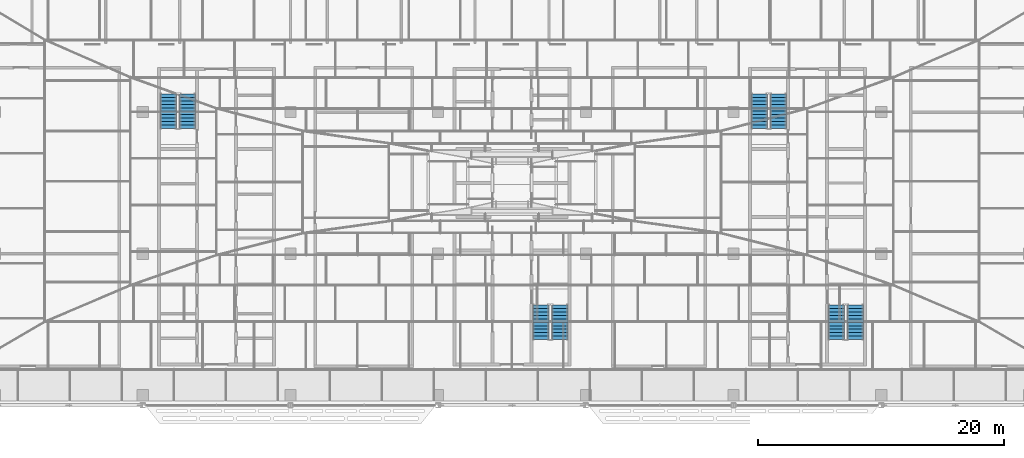
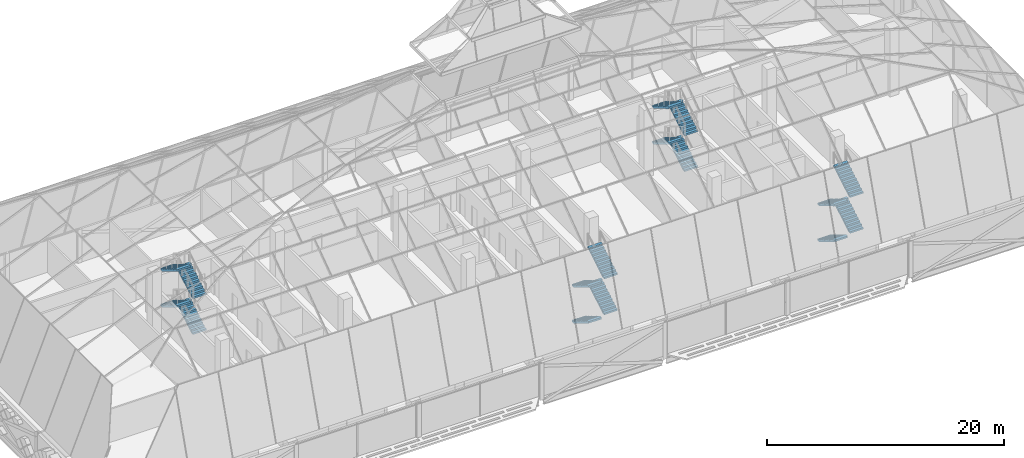
# One storey, part 29 of 39: 16 stair flights, 4 elements without a shape of their own.
"""IFC4 building model written with IfcOpenShell, lengths in metres."""

from ifc_helpers import new_model, si_unit, direction, frame, origin, place, context, subcontext, project, spatial, polyline, outline, extrude, material, type_object, element, aggregate, save


model = new_model("IFC4")

# Units and contexts
model_context = context("Model", 3, precision=1e-05, world=origin(), true_north=direction((0.0, 1.0)))
body_context = subcontext(model_context, "Body", "Model", "MODEL_VIEW")
ifc_project = project(units=[si_unit("LENGTHUNIT", "METRE"), si_unit("AREAUNIT", "SQUARE_METRE"), si_unit("VOLUMEUNIT", "CUBIC_METRE"), si_unit("PLANEANGLEUNIT", "RADIAN"), si_unit("MASSUNIT", "GRAM", prefix="KILO")], contexts=[model_context])

# Site, building, storey
site_placement = place(None, origin())
site = spatial("IfcSite", under=ifc_project, at=site_placement, CompositionType="ELEMENT")
building_placement = place(site_placement, origin())
building = spatial("IfcBuilding", under=site, at=building_placement, Name="Mahtab Terrace Research Tower", CompositionType="ELEMENT")
storey_placement = place(building_placement, frame((0.0, 0.0, 282.300048828125)))
storey = spatial("IfcBuildingStorey", under=building, at=storey_placement, Name="L69", CompositionType="ELEMENT", Elevation=282.300048828125)

# Stair, stair flights
ifc_material_1 = material(Name="Exit stair half-turn")
stair_type = type_object("IfcStairType", Name="Exit stair half-turn", PredefinedType="HALF_TURN_STAIR", material=ifc_material_1)
stair_1_placement = place(storey_placement, origin())
stair_1 = element("IfcStair", 1, at=stair_1_placement, inside=storey, type_object=stair_type, Name="L69 Protected exit stair ST1", PredefinedType="HALF_TURN_STAIR")
ifc_material_2 = material(Name="Concrete C40/50", Category="concrete")
stair_flight_type = type_object("IfcStairFlightType", Name="Exit stair flight 1300", PredefinedType="STRAIGHT", material=ifc_material_2)
stair_flight_1_placement = place(storey_placement, frame((-26.35009765625, 10.175048828125, 0.0), z_axis=(0.0, 0.0, 1.0), x_axis=(0.0, 1.0, 0.0)))
stair_flight_1 = element("IfcStairFlight", 2, at=stair_flight_1_placement, type_object=stair_flight_type, Name="ST1 flight 1", NumberOfRisers=11, NumberOfTreads=10, PredefinedType="STRAIGHT", RiserHeight=0.168181818, TreadLength=0.28, context=body_context, shape_type="SweptSolid", body=[
    extrude(outline(polyline([(0.0, 0.0), (0.0, 0.168212890625), (0.280029296875, 0.168212890625), (0.280029296875, 0.33642578125), (0.56005859375, 0.33642578125), (0.56005859375, 0.504638671875), (0.840087890625, 0.504638671875), (0.840087890625, 0.672607421875), (1.1201171875, 0.672607421875), (1.1201171875, 0.8408203125), (1.39990234375, 0.8408203125), (1.39990234375, 1.009033203125), (1.679931640625, 1.009033203125), (1.679931640625, 1.17724609375), (1.9599609375, 1.17724609375), (1.9599609375, 1.345458984375), (2.239990234375, 1.345458984375), (2.239990234375, 1.513671875), (2.52001953125, 1.513671875), (2.52001953125, 1.681884765625), (2.800048828125, 1.681884765625), (2.800048828125, 1.85009765625), (2.800048828125, 1.5068359375), (0.291015625, 0.0), (0.0, 0.0)])), frame((0.0, 0.64990234375, 0.0), z_axis=(0.0, -1.0, 0.0), x_axis=(1.0, 0.0, 0.0)), (0.0, 0.0, 1.0), 1.300048828125),
])
stair_flight_2_placement = place(storey_placement, frame((-27.89990234375, 12.97509765625, 1.849853515625), z_axis=(0.0, 0.0, 1.0), x_axis=(0.0, -1.0, 0.0)))
stair_flight_2 = element("IfcStairFlight", 3, at=stair_flight_2_placement, type_object=stair_flight_type, Name="ST1 flight 2", NumberOfRisers=11, NumberOfTreads=10, PredefinedType="STRAIGHT", RiserHeight=0.168181818, TreadLength=0.28, context=body_context, shape_type="SweptSolid", body=[
    extrude(outline(polyline([(0.0, 0.0), (0.0, 0.168212890625), (0.280029296875, 0.168212890625), (0.280029296875, 0.33642578125), (0.56005859375, 0.33642578125), (0.56005859375, 0.504638671875), (0.840087890625, 0.504638671875), (0.840087890625, 0.672607421875), (1.1201171875, 0.672607421875), (1.1201171875, 0.8408203125), (1.39990234375, 0.8408203125), (1.39990234375, 1.009033203125), (1.679931640625, 1.009033203125), (1.679931640625, 1.17724609375), (1.9599609375, 1.17724609375), (1.9599609375, 1.345458984375), (2.239990234375, 1.345458984375), (2.239990234375, 1.513671875), (2.52001953125, 1.513671875), (2.52001953125, 1.681884765625), (2.800048828125, 1.681884765625), (2.800048828125, 1.85009765625), (2.800048828125, 1.5068359375), (0.291015625, 0.0), (0.0, 0.0)])), frame((0.0, 0.64990234375, 0.0), z_axis=(0.0, -1.0, 0.0), x_axis=(1.0, 0.0, 0.0)), (0.0, 0.0, 1.0), 1.300048828125),
])
stair_flight_3_placement = place(storey_placement, frame((-26.35009765625, 10.175048828125, 3.699951171875), z_axis=(0.0, 0.0, 1.0), x_axis=(0.0, 1.0, 0.0)))
stair_flight_3 = element("IfcStairFlight", 4, at=stair_flight_3_placement, type_object=stair_flight_type, Name="ST1 flight 3", NumberOfRisers=11, NumberOfTreads=10, PredefinedType="STRAIGHT", RiserHeight=0.168181818, TreadLength=0.28, context=body_context, shape_type="SweptSolid", body=[
    extrude(outline(polyline([(0.0, 0.0), (0.0, 0.168212890625), (0.280029296875, 0.168212890625), (0.280029296875, 0.33642578125), (0.56005859375, 0.33642578125), (0.56005859375, 0.504638671875), (0.840087890625, 0.504638671875), (0.840087890625, 0.672607421875), (1.1201171875, 0.672607421875), (1.1201171875, 0.8408203125), (1.39990234375, 0.8408203125), (1.39990234375, 1.009033203125), (1.679931640625, 1.009033203125), (1.679931640625, 1.17724609375), (1.9599609375, 1.17724609375), (1.9599609375, 1.345458984375), (2.239990234375, 1.345458984375), (2.239990234375, 1.513671875), (2.52001953125, 1.513671875), (2.52001953125, 1.681884765625), (2.800048828125, 1.681884765625), (2.800048828125, 1.85009765625), (2.800048828125, 1.5068359375), (0.291015625, 0.0), (0.0, 0.0)])), frame((0.0, 0.64990234375, 0.0), z_axis=(0.0, -1.0, 0.0), x_axis=(1.0, 0.0, 0.0)), (0.0, 0.0, 1.0), 1.300048828125),
])
stair_flight_4_placement = place(storey_placement, frame((-27.89990234375, 12.97509765625, 5.550048828125), z_axis=(0.0, 0.0, 1.0), x_axis=(0.0, -1.0, 0.0)))
stair_flight_4 = element("IfcStairFlight", 5, at=stair_flight_4_placement, type_object=stair_flight_type, Name="ST1 flight 4", NumberOfRisers=11, NumberOfTreads=10, PredefinedType="STRAIGHT", RiserHeight=0.168181818, TreadLength=0.28, context=body_context, shape_type="SweptSolid", body=[
    extrude(outline(polyline([(0.0, 0.0), (0.0, 0.168212890625), (0.280029296875, 0.168212890625), (0.280029296875, 0.33642578125), (0.56005859375, 0.33642578125), (0.56005859375, 0.504638671875), (0.840087890625, 0.504638671875), (0.840087890625, 0.672607421875), (1.1201171875, 0.672607421875), (1.1201171875, 0.8408203125), (1.39990234375, 0.8408203125), (1.39990234375, 1.009033203125), (1.679931640625, 1.009033203125), (1.679931640625, 1.17724609375), (1.9599609375, 1.17724609375), (1.9599609375, 1.345458984375), (2.239990234375, 1.345458984375), (2.239990234375, 1.513671875), (2.52001953125, 1.513671875), (2.52001953125, 1.681884765625), (2.800048828125, 1.681884765625), (2.800048828125, 1.85009765625), (2.800048828125, 1.5068359375), (0.291015625, 0.0), (0.0, 0.0)])), frame((0.0, 0.64990234375, 0.0), z_axis=(0.0, -1.0, 0.0), x_axis=(1.0, 0.0, 0.0)), (0.0, 0.0, 1.0), 1.300048828125),
])
aggregate(stair_1, [stair_flight_1, stair_flight_2, stair_flight_3, stair_flight_4])

stair_2_placement = place(storey_placement, origin())
stair_2 = element("IfcStair", 6, at=stair_2_placement, inside=storey, type_object=stair_type, Name="L69 Protected exit stair ST2", PredefinedType="HALF_TURN_STAIR")
stair_flight_5_placement = place(storey_placement, frame((2.35009765625, -4.175048828125, 0.0), z_axis=(0.0, 0.0, 1.0), x_axis=(0.0, -1.0, 0.0)))
stair_flight_5 = element("IfcStairFlight", 7, at=stair_flight_5_placement, type_object=stair_flight_type, Name="ST2 flight 1", NumberOfRisers=11, NumberOfTreads=10, PredefinedType="STRAIGHT", RiserHeight=0.168181818, TreadLength=0.28, context=body_context, shape_type="SweptSolid", body=[
    extrude(outline(polyline([(0.0, 0.0), (0.0, 0.168212890625), (0.280029296875, 0.168212890625), (0.280029296875, 0.33642578125), (0.56005859375, 0.33642578125), (0.56005859375, 0.504638671875), (0.840087890625, 0.504638671875), (0.840087890625, 0.672607421875), (1.1201171875, 0.672607421875), (1.1201171875, 0.8408203125), (1.39990234375, 0.8408203125), (1.39990234375, 1.009033203125), (1.679931640625, 1.009033203125), (1.679931640625, 1.17724609375), (1.9599609375, 1.17724609375), (1.9599609375, 1.345458984375), (2.239990234375, 1.345458984375), (2.239990234375, 1.513671875), (2.52001953125, 1.513671875), (2.52001953125, 1.681884765625), (2.800048828125, 1.681884765625), (2.800048828125, 1.85009765625), (2.800048828125, 1.5068359375), (0.291015625, 0.0), (0.0, 0.0)])), frame((0.0, 0.64990234375, 0.0), z_axis=(0.0, -1.0, 0.0), x_axis=(1.0, 0.0, 0.0)), (0.0, 0.0, 1.0), 1.300048828125),
])
stair_flight_6_placement = place(storey_placement, frame((3.89990234375, -6.97509765625, 1.849853515625), z_axis=(0.0, 0.0, 1.0), x_axis=(0.0, 1.0, 0.0)))
stair_flight_6 = element("IfcStairFlight", 8, at=stair_flight_6_placement, type_object=stair_flight_type, Name="ST2 flight 2", NumberOfRisers=11, NumberOfTreads=10, PredefinedType="STRAIGHT", RiserHeight=0.168181818, TreadLength=0.28, context=body_context, shape_type="SweptSolid", body=[
    extrude(outline(polyline([(0.0, 0.0), (0.0, 0.168212890625), (0.280029296875, 0.168212890625), (0.280029296875, 0.33642578125), (0.56005859375, 0.33642578125), (0.56005859375, 0.504638671875), (0.840087890625, 0.504638671875), (0.840087890625, 0.672607421875), (1.1201171875, 0.672607421875), (1.1201171875, 0.8408203125), (1.39990234375, 0.8408203125), (1.39990234375, 1.009033203125), (1.679931640625, 1.009033203125), (1.679931640625, 1.17724609375), (1.9599609375, 1.17724609375), (1.9599609375, 1.345458984375), (2.239990234375, 1.345458984375), (2.239990234375, 1.513671875), (2.52001953125, 1.513671875), (2.52001953125, 1.681884765625), (2.800048828125, 1.681884765625), (2.800048828125, 1.85009765625), (2.800048828125, 1.5068359375), (0.291015625, 0.0), (0.0, 0.0)])), frame((0.0, 0.64990234375, 0.0), z_axis=(0.0, -1.0, 0.0), x_axis=(1.0, 0.0, 0.0)), (0.0, 0.0, 1.0), 1.300048828125),
])
stair_flight_7_placement = place(storey_placement, frame((2.35009765625, -4.175048828125, 3.699951171875), z_axis=(0.0, 0.0, 1.0), x_axis=(0.0, -1.0, 0.0)))
stair_flight_7 = element("IfcStairFlight", 9, at=stair_flight_7_placement, type_object=stair_flight_type, Name="ST2 flight 3", NumberOfRisers=11, NumberOfTreads=10, PredefinedType="STRAIGHT", RiserHeight=0.168181818, TreadLength=0.28, context=body_context, shape_type="SweptSolid", body=[
    extrude(outline(polyline([(0.0, 0.0), (0.0, 0.168212890625), (0.280029296875, 0.168212890625), (0.280029296875, 0.33642578125), (0.56005859375, 0.33642578125), (0.56005859375, 0.504638671875), (0.840087890625, 0.504638671875), (0.840087890625, 0.672607421875), (1.1201171875, 0.672607421875), (1.1201171875, 0.8408203125), (1.39990234375, 0.8408203125), (1.39990234375, 1.009033203125), (1.679931640625, 1.009033203125), (1.679931640625, 1.17724609375), (1.9599609375, 1.17724609375), (1.9599609375, 1.345458984375), (2.239990234375, 1.345458984375), (2.239990234375, 1.513671875), (2.52001953125, 1.513671875), (2.52001953125, 1.681884765625), (2.800048828125, 1.681884765625), (2.800048828125, 1.85009765625), (2.800048828125, 1.5068359375), (0.291015625, 0.0), (0.0, 0.0)])), frame((0.0, 0.64990234375, 0.0), z_axis=(0.0, -1.0, 0.0), x_axis=(1.0, 0.0, 0.0)), (0.0, 0.0, 1.0), 1.300048828125),
])
stair_flight_8_placement = place(storey_placement, frame((3.89990234375, -6.97509765625, 5.550048828125), z_axis=(0.0, 0.0, 1.0), x_axis=(0.0, 1.0, 0.0)))
stair_flight_8 = element("IfcStairFlight", 10, at=stair_flight_8_placement, type_object=stair_flight_type, Name="ST2 flight 4", NumberOfRisers=11, NumberOfTreads=10, PredefinedType="STRAIGHT", RiserHeight=0.168181818, TreadLength=0.28, context=body_context, shape_type="SweptSolid", body=[
    extrude(outline(polyline([(0.0, 0.0), (0.0, 0.168212890625), (0.280029296875, 0.168212890625), (0.280029296875, 0.33642578125), (0.56005859375, 0.33642578125), (0.56005859375, 0.504638671875), (0.840087890625, 0.504638671875), (0.840087890625, 0.672607421875), (1.1201171875, 0.672607421875), (1.1201171875, 0.8408203125), (1.39990234375, 0.8408203125), (1.39990234375, 1.009033203125), (1.679931640625, 1.009033203125), (1.679931640625, 1.17724609375), (1.9599609375, 1.17724609375), (1.9599609375, 1.345458984375), (2.239990234375, 1.345458984375), (2.239990234375, 1.513671875), (2.52001953125, 1.513671875), (2.52001953125, 1.681884765625), (2.800048828125, 1.681884765625), (2.800048828125, 1.85009765625), (2.800048828125, 1.5068359375), (0.291015625, 0.0), (0.0, 0.0)])), frame((0.0, 0.64990234375, 0.0), z_axis=(0.0, -1.0, 0.0), x_axis=(1.0, 0.0, 0.0)), (0.0, 0.0, 1.0), 1.300048828125),
])
aggregate(stair_2, [stair_flight_5, stair_flight_6, stair_flight_7, stair_flight_8])

stair_3_placement = place(storey_placement, origin())
stair_3 = element("IfcStair", 11, at=stair_3_placement, inside=storey, type_object=stair_type, Name="L69 Protected exit stair ST3", PredefinedType="HALF_TURN_STAIR")
stair_flight_9_placement = place(storey_placement, frame((21.64990234375, 10.175048828125, 0.0), z_axis=(0.0, 0.0, 1.0), x_axis=(0.0, 1.0, 0.0)))
stair_flight_9 = element("IfcStairFlight", 12, at=stair_flight_9_placement, type_object=stair_flight_type, Name="ST3 flight 1", NumberOfRisers=11, NumberOfTreads=10, PredefinedType="STRAIGHT", RiserHeight=0.168181818, TreadLength=0.28, context=body_context, shape_type="SweptSolid", body=[
    extrude(outline(polyline([(0.0, 0.0), (0.0, 0.168212890625), (0.280029296875, 0.168212890625), (0.280029296875, 0.33642578125), (0.56005859375, 0.33642578125), (0.56005859375, 0.504638671875), (0.840087890625, 0.504638671875), (0.840087890625, 0.672607421875), (1.1201171875, 0.672607421875), (1.1201171875, 0.8408203125), (1.39990234375, 0.8408203125), (1.39990234375, 1.009033203125), (1.679931640625, 1.009033203125), (1.679931640625, 1.17724609375), (1.9599609375, 1.17724609375), (1.9599609375, 1.345458984375), (2.239990234375, 1.345458984375), (2.239990234375, 1.513671875), (2.52001953125, 1.513671875), (2.52001953125, 1.681884765625), (2.800048828125, 1.681884765625), (2.800048828125, 1.85009765625), (2.800048828125, 1.5068359375), (0.291015625, 0.0), (0.0, 0.0)])), frame((0.0, 0.64990234375, 0.0), z_axis=(0.0, -1.0, 0.0), x_axis=(1.0, 0.0, 0.0)), (0.0, 0.0, 1.0), 1.300048828125),
])
stair_flight_10_placement = place(storey_placement, frame((20.10009765625, 12.97509765625, 1.849853515625), z_axis=(0.0, 0.0, 1.0), x_axis=(0.0, -1.0, 0.0)))
stair_flight_10 = element("IfcStairFlight", 13, at=stair_flight_10_placement, type_object=stair_flight_type, Name="ST3 flight 2", NumberOfRisers=11, NumberOfTreads=10, PredefinedType="STRAIGHT", RiserHeight=0.168181818, TreadLength=0.28, context=body_context, shape_type="SweptSolid", body=[
    extrude(outline(polyline([(0.0, 0.0), (0.0, 0.168212890625), (0.280029296875, 0.168212890625), (0.280029296875, 0.33642578125), (0.56005859375, 0.33642578125), (0.56005859375, 0.504638671875), (0.840087890625, 0.504638671875), (0.840087890625, 0.672607421875), (1.1201171875, 0.672607421875), (1.1201171875, 0.8408203125), (1.39990234375, 0.8408203125), (1.39990234375, 1.009033203125), (1.679931640625, 1.009033203125), (1.679931640625, 1.17724609375), (1.9599609375, 1.17724609375), (1.9599609375, 1.345458984375), (2.239990234375, 1.345458984375), (2.239990234375, 1.513671875), (2.52001953125, 1.513671875), (2.52001953125, 1.681884765625), (2.800048828125, 1.681884765625), (2.800048828125, 1.85009765625), (2.800048828125, 1.5068359375), (0.291015625, 0.0), (0.0, 0.0)])), frame((0.0, 0.64990234375, 0.0), z_axis=(0.0, -1.0, 0.0), x_axis=(1.0, 0.0, 0.0)), (0.0, 0.0, 1.0), 1.300048828125),
])
stair_flight_11_placement = place(storey_placement, frame((21.64990234375, 10.175048828125, 3.699951171875), z_axis=(0.0, 0.0, 1.0), x_axis=(0.0, 1.0, 0.0)))
stair_flight_11 = element("IfcStairFlight", 14, at=stair_flight_11_placement, type_object=stair_flight_type, Name="ST3 flight 3", NumberOfRisers=11, NumberOfTreads=10, PredefinedType="STRAIGHT", RiserHeight=0.168181818, TreadLength=0.28, context=body_context, shape_type="SweptSolid", body=[
    extrude(outline(polyline([(0.0, 0.0), (0.0, 0.168212890625), (0.280029296875, 0.168212890625), (0.280029296875, 0.33642578125), (0.56005859375, 0.33642578125), (0.56005859375, 0.504638671875), (0.840087890625, 0.504638671875), (0.840087890625, 0.672607421875), (1.1201171875, 0.672607421875), (1.1201171875, 0.8408203125), (1.39990234375, 0.8408203125), (1.39990234375, 1.009033203125), (1.679931640625, 1.009033203125), (1.679931640625, 1.17724609375), (1.9599609375, 1.17724609375), (1.9599609375, 1.345458984375), (2.239990234375, 1.345458984375), (2.239990234375, 1.513671875), (2.52001953125, 1.513671875), (2.52001953125, 1.681884765625), (2.800048828125, 1.681884765625), (2.800048828125, 1.85009765625), (2.800048828125, 1.5068359375), (0.291015625, 0.0), (0.0, 0.0)])), frame((0.0, 0.64990234375, 0.0), z_axis=(0.0, -1.0, 0.0), x_axis=(1.0, 0.0, 0.0)), (0.0, 0.0, 1.0), 1.300048828125),
])
stair_flight_12_placement = place(storey_placement, frame((20.10009765625, 12.97509765625, 5.550048828125), z_axis=(0.0, 0.0, 1.0), x_axis=(0.0, -1.0, 0.0)))
stair_flight_12 = element("IfcStairFlight", 15, at=stair_flight_12_placement, type_object=stair_flight_type, Name="ST3 flight 4", NumberOfRisers=11, NumberOfTreads=10, PredefinedType="STRAIGHT", RiserHeight=0.168181818, TreadLength=0.28, context=body_context, shape_type="SweptSolid", body=[
    extrude(outline(polyline([(0.0, 0.0), (0.0, 0.168212890625), (0.280029296875, 0.168212890625), (0.280029296875, 0.33642578125), (0.56005859375, 0.33642578125), (0.56005859375, 0.504638671875), (0.840087890625, 0.504638671875), (0.840087890625, 0.672607421875), (1.1201171875, 0.672607421875), (1.1201171875, 0.8408203125), (1.39990234375, 0.8408203125), (1.39990234375, 1.009033203125), (1.679931640625, 1.009033203125), (1.679931640625, 1.17724609375), (1.9599609375, 1.17724609375), (1.9599609375, 1.345458984375), (2.239990234375, 1.345458984375), (2.239990234375, 1.513671875), (2.52001953125, 1.513671875), (2.52001953125, 1.681884765625), (2.800048828125, 1.681884765625), (2.800048828125, 1.85009765625), (2.800048828125, 1.5068359375), (0.291015625, 0.0), (0.0, 0.0)])), frame((0.0, 0.64990234375, 0.0), z_axis=(0.0, -1.0, 0.0), x_axis=(1.0, 0.0, 0.0)), (0.0, 0.0, 1.0), 1.300048828125),
])
aggregate(stair_3, [stair_flight_9, stair_flight_10, stair_flight_11, stair_flight_12])

stair_4_placement = place(storey_placement, origin())
stair_4 = element("IfcStair", 16, at=stair_4_placement, inside=storey, type_object=stair_type, Name="L69 Protected exit stair ST4", PredefinedType="HALF_TURN_STAIR")
stair_flight_13_placement = place(storey_placement, frame((26.35009765625, -4.175048828125, 0.0), z_axis=(0.0, 0.0, 1.0), x_axis=(0.0, -1.0, 0.0)))
stair_flight_13 = element("IfcStairFlight", 17, at=stair_flight_13_placement, type_object=stair_flight_type, Name="ST4 flight 1", NumberOfRisers=11, NumberOfTreads=10, PredefinedType="STRAIGHT", RiserHeight=0.168181818, TreadLength=0.28, context=body_context, shape_type="SweptSolid", body=[
    extrude(outline(polyline([(0.0, 0.0), (0.0, 0.168212890625), (0.280029296875, 0.168212890625), (0.280029296875, 0.33642578125), (0.56005859375, 0.33642578125), (0.56005859375, 0.504638671875), (0.840087890625, 0.504638671875), (0.840087890625, 0.672607421875), (1.1201171875, 0.672607421875), (1.1201171875, 0.8408203125), (1.39990234375, 0.8408203125), (1.39990234375, 1.009033203125), (1.679931640625, 1.009033203125), (1.679931640625, 1.17724609375), (1.9599609375, 1.17724609375), (1.9599609375, 1.345458984375), (2.239990234375, 1.345458984375), (2.239990234375, 1.513671875), (2.52001953125, 1.513671875), (2.52001953125, 1.681884765625), (2.800048828125, 1.681884765625), (2.800048828125, 1.85009765625), (2.800048828125, 1.5068359375), (0.291015625, 0.0), (0.0, 0.0)])), frame((0.0, 0.64990234375, 0.0), z_axis=(0.0, -1.0, 0.0), x_axis=(1.0, 0.0, 0.0)), (0.0, 0.0, 1.0), 1.300048828125),
])
stair_flight_14_placement = place(storey_placement, frame((27.89990234375, -6.97509765625, 1.849853515625), z_axis=(0.0, 0.0, 1.0), x_axis=(0.0, 1.0, 0.0)))
stair_flight_14 = element("IfcStairFlight", 18, at=stair_flight_14_placement, type_object=stair_flight_type, Name="ST4 flight 2", NumberOfRisers=11, NumberOfTreads=10, PredefinedType="STRAIGHT", RiserHeight=0.168181818, TreadLength=0.28, context=body_context, shape_type="SweptSolid", body=[
    extrude(outline(polyline([(0.0, 0.0), (0.0, 0.168212890625), (0.280029296875, 0.168212890625), (0.280029296875, 0.33642578125), (0.56005859375, 0.33642578125), (0.56005859375, 0.504638671875), (0.840087890625, 0.504638671875), (0.840087890625, 0.672607421875), (1.1201171875, 0.672607421875), (1.1201171875, 0.8408203125), (1.39990234375, 0.8408203125), (1.39990234375, 1.009033203125), (1.679931640625, 1.009033203125), (1.679931640625, 1.17724609375), (1.9599609375, 1.17724609375), (1.9599609375, 1.345458984375), (2.239990234375, 1.345458984375), (2.239990234375, 1.513671875), (2.52001953125, 1.513671875), (2.52001953125, 1.681884765625), (2.800048828125, 1.681884765625), (2.800048828125, 1.85009765625), (2.800048828125, 1.5068359375), (0.291015625, 0.0), (0.0, 0.0)])), frame((0.0, 0.64990234375, 0.0), z_axis=(0.0, -1.0, 0.0), x_axis=(1.0, 0.0, 0.0)), (0.0, 0.0, 1.0), 1.300048828125),
])
stair_flight_15_placement = place(storey_placement, frame((26.35009765625, -4.175048828125, 3.699951171875), z_axis=(0.0, 0.0, 1.0), x_axis=(0.0, -1.0, 0.0)))
stair_flight_15 = element("IfcStairFlight", 19, at=stair_flight_15_placement, type_object=stair_flight_type, Name="ST4 flight 3", NumberOfRisers=11, NumberOfTreads=10, PredefinedType="STRAIGHT", RiserHeight=0.168181818, TreadLength=0.28, context=body_context, shape_type="SweptSolid", body=[
    extrude(outline(polyline([(0.0, 0.0), (0.0, 0.168212890625), (0.280029296875, 0.168212890625), (0.280029296875, 0.33642578125), (0.56005859375, 0.33642578125), (0.56005859375, 0.504638671875), (0.840087890625, 0.504638671875), (0.840087890625, 0.672607421875), (1.1201171875, 0.672607421875), (1.1201171875, 0.8408203125), (1.39990234375, 0.8408203125), (1.39990234375, 1.009033203125), (1.679931640625, 1.009033203125), (1.679931640625, 1.17724609375), (1.9599609375, 1.17724609375), (1.9599609375, 1.345458984375), (2.239990234375, 1.345458984375), (2.239990234375, 1.513671875), (2.52001953125, 1.513671875), (2.52001953125, 1.681884765625), (2.800048828125, 1.681884765625), (2.800048828125, 1.85009765625), (2.800048828125, 1.5068359375), (0.291015625, 0.0), (0.0, 0.0)])), frame((0.0, 0.64990234375, 0.0), z_axis=(0.0, -1.0, 0.0), x_axis=(1.0, 0.0, 0.0)), (0.0, 0.0, 1.0), 1.300048828125),
])
stair_flight_16_placement = place(storey_placement, frame((27.89990234375, -6.97509765625, 5.550048828125), z_axis=(0.0, 0.0, 1.0), x_axis=(0.0, 1.0, 0.0)))
stair_flight_16 = element("IfcStairFlight", 20, at=stair_flight_16_placement, type_object=stair_flight_type, Name="ST4 flight 4", NumberOfRisers=11, NumberOfTreads=10, PredefinedType="STRAIGHT", RiserHeight=0.168181818, TreadLength=0.28, context=body_context, shape_type="SweptSolid", body=[
    extrude(outline(polyline([(0.0, 0.0), (0.0, 0.168212890625), (0.280029296875, 0.168212890625), (0.280029296875, 0.33642578125), (0.56005859375, 0.33642578125), (0.56005859375, 0.504638671875), (0.840087890625, 0.504638671875), (0.840087890625, 0.672607421875), (1.1201171875, 0.672607421875), (1.1201171875, 0.8408203125), (1.39990234375, 0.8408203125), (1.39990234375, 1.009033203125), (1.679931640625, 1.009033203125), (1.679931640625, 1.17724609375), (1.9599609375, 1.17724609375), (1.9599609375, 1.345458984375), (2.239990234375, 1.345458984375), (2.239990234375, 1.513671875), (2.52001953125, 1.513671875), (2.52001953125, 1.681884765625), (2.800048828125, 1.681884765625), (2.800048828125, 1.85009765625), (2.800048828125, 1.5068359375), (0.291015625, 0.0), (0.0, 0.0)])), frame((0.0, 0.64990234375, 0.0), z_axis=(0.0, -1.0, 0.0), x_axis=(1.0, 0.0, 0.0)), (0.0, 0.0, 1.0), 1.300048828125),
])
aggregate(stair_4, [stair_flight_13, stair_flight_14, stair_flight_15, stair_flight_16])

save(model, "model.ifc")
